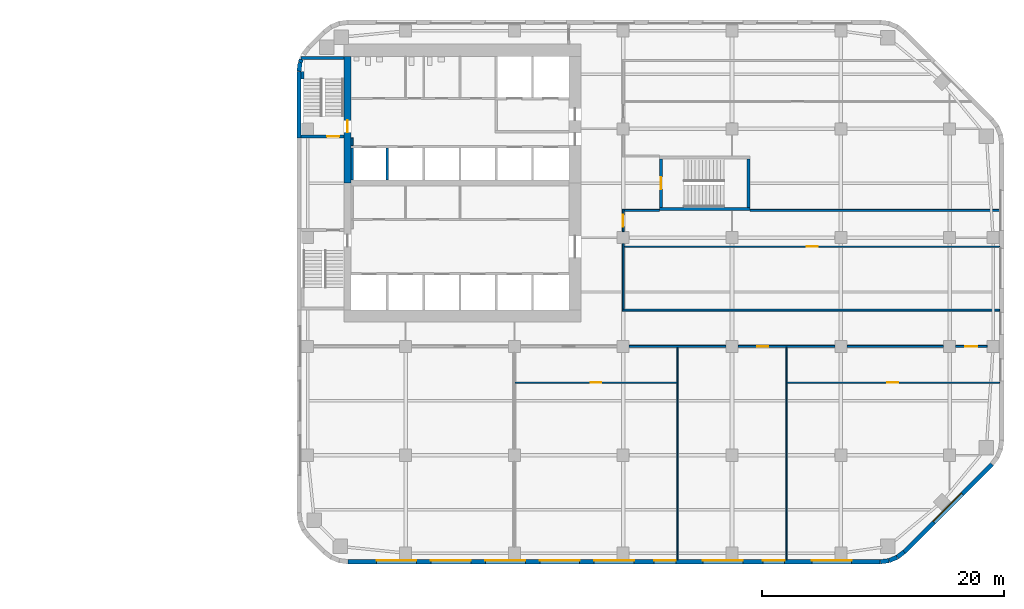
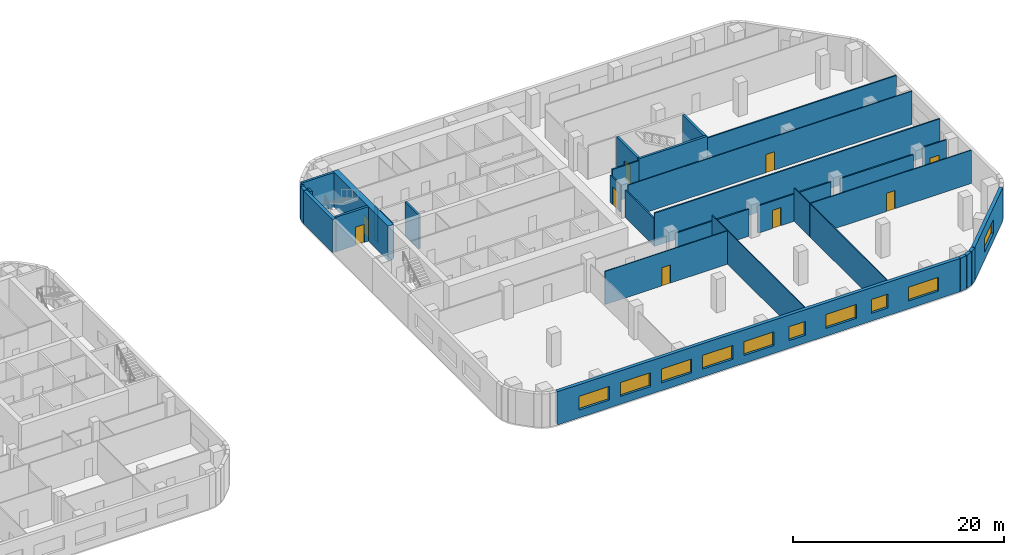
# One storey, part 10 of 16: 33 walls, 10 windows, 9 doors, 19 openings.
"""IFC4 building model written with IfcOpenShell, lengths in metres."""

from ifc_helpers import new_model, si_unit, direction, frame, frame_2d, origin, place, context, subcontext, project, spatial, rectangle, extrude, material, layer, layer_set, type_object, element, fill, save


model = new_model("IFC4")

# Units and contexts
model_context = context("Model", 3, precision=1e-05, world=origin(), true_north=direction((0.0, 1.0)))
body_context = subcontext(model_context, "Body", "Model", "MODEL_VIEW")
ifc_project = project(units=[si_unit("LENGTHUNIT", "METRE"), si_unit("AREAUNIT", "SQUARE_METRE"), si_unit("VOLUMEUNIT", "CUBIC_METRE"), si_unit("PLANEANGLEUNIT", "RADIAN"), si_unit("MASSUNIT", "GRAM", prefix="KILO")], contexts=[model_context])

# Site, building, storey
site_placement = place(None, origin())
site = spatial("IfcSite", under=ifc_project, at=site_placement, CompositionType="ELEMENT")
building_placement = place(site_placement, origin())
building = spatial("IfcBuilding", under=site, at=building_placement, Name="Cinnabar Reach Civic Tower", CompositionType="ELEMENT")
storey_placement = place(building_placement, frame((0.0, 0.0, 38.0)))
storey = spatial("IfcBuildingStorey", under=building, at=storey_placement, Name="L08", CompositionType="ELEMENT", Elevation=38.0)

# Walls
ifc_material_1 = material(Name="Facing brick with insulated backing", Category="masonry")
ifc_layer_1 = layer(ifc_material_1, 0.36)
ifc_layer_set_1 = layer_set([ifc_layer_1], Name="Brick corner wall")
wall_type_1 = type_object("IfcWallType", Name="Brick corner wall", PredefinedType="STANDARD", material=ifc_layer_set_1)
for number, where, z_axis, x_axis, name in (
    (1, (48.2686, 0.183, 0.0), (0.0, 0.0, 1.0), (0.99144092581, 0.13055608231, 0.0), "Brick corner wall"),
    (2, (48.9973, 0.2819, 0.0), (0.0, 0.0, 1.0), (0.923871547278, 0.382702709855, 0.0), "Brick corner wall"),
):
    element("IfcWall", number, at=place(storey_placement, frame(where, z_axis=z_axis, x_axis=x_axis)), inside=storey, type_object=wall_type_1, Name=name, PredefinedType="STANDARD", context=body_context, shape_type="SweptSolid", body=[
        extrude(rectangle(XDim=0.7131, YDim=0.36, at=frame_2d((0.3565, 0.0))), origin(), (0.0, 0.0, 1.0), 3.85),
    ])
wall_1_placement = place(storey_placement, frame((49.6755, 0.566, 0.0), z_axis=(0.0, 0.0, 1.0), x_axis=(0.793321924995, 0.608802368033, 0.0)))
element("IfcWall", 3, at=wall_1_placement, inside=storey, type_object=wall_type_1, Name="Brick corner wall", PredefinedType="STANDARD", context=body_context, shape_type="SweptSolid", body=[
    extrude(rectangle(XDim=0.7132, YDim=0.36, at=frame_2d((0.3566, 0.0))), origin(), (0.0, 0.0, 1.0), 3.85),
])
wall_2_placement = place(storey_placement, frame((0.3808, 41.736, 0.0), z_axis=(0.0, 0.0, 1.0), x_axis=(-0.382773360986, -0.923842277729, 0.0)))
element("IfcWall", 4, at=wall_2_placement, inside=storey, type_object=wall_type_1, Name="Brick corner wall", PredefinedType="STANDARD", context=body_context, shape_type="SweptSolid", body=[
    extrude(rectangle(XDim=0.2584, YDim=0.36, at=frame_2d((0.1292, 0.0))), origin(), (0.0, 0.0, 1.0), 3.85),
])
wall_3_placement = place(storey_placement, frame((0.2761, 41.4756, 0.0), z_axis=(0.0, 0.0, 1.0), x_axis=(-0.13055608231, -0.99144092581, 0.0)))
element("IfcWall", 5, at=wall_3_placement, inside=storey, type_object=wall_type_1, Name="Brick corner wall", PredefinedType="STANDARD", context=body_context, shape_type="SweptSolid", body=[
    extrude(rectangle(XDim=0.7131, YDim=0.36, at=frame_2d((0.3565, 0.0))), origin(), (0.0, 0.0, 1.0), 3.85),
])

# Wall, openings, windows
ifc_layer_2 = layer(ifc_material_1, 0.36)
ifc_layer_set_2 = layer_set([ifc_layer_2], Name="Brick pier and spandrel wall")
wall_type_2 = type_object("IfcWallType", Name="Brick pier and spandrel wall", PredefinedType="STANDARD", material=ifc_layer_set_2)
wall_4_placement = place(storey_placement, frame((4.2426, 0.18, 0.0), z_axis=(0.0, 0.0, 1.0), x_axis=(1.0, 0.0, 0.0)))
wall_4 = element("IfcWall", 6, at=wall_4_placement, inside=storey, type_object=wall_type_2, Name="Brick facade wall", PredefinedType="STANDARD", context=body_context, shape_type="SweptSolid", body=[
    extrude(rectangle(XDim=44.0148, YDim=0.36, at=frame_2d((22.0074, 0.0))), origin(), (0.0, 0.0, 1.0), 3.85),
])
opening_1_placement = place(wall_4_placement, frame((2.3574, 0.0, 0.9)))
opening_1 = element("IfcOpeningElement", 7, at=opening_1_placement, cuts=wall_4, Name="Opening W1078", PredefinedType="OPENING", context=body_context, shape_type="SweptSolid", body=[
    extrude(rectangle(XDim=3.3, YDim=1.6, at=frame_2d((1.65, 0.8))), frame((0.0, 0.19, 0.0), z_axis=(0.0, -1.0, 0.0), x_axis=(1.0, 0.0, 0.0)), (0.0, 0.0, 1.0), 0.38),
])
opening_2_placement = place(wall_4_placement, frame((6.8574, 0.0, 0.9)))
opening_2 = element("IfcOpeningElement", 8, at=opening_2_placement, cuts=wall_4, Name="Opening W1079", PredefinedType="OPENING", context=body_context, shape_type="SweptSolid", body=[
    extrude(rectangle(XDim=3.3, YDim=1.6, at=frame_2d((1.65, 0.8))), frame((0.0, 0.19, 0.0), z_axis=(0.0, -1.0, 0.0), x_axis=(1.0, 0.0, 0.0)), (0.0, 0.0, 1.0), 0.38),
])
opening_3_placement = place(wall_4_placement, frame((11.3574, 0.0, 0.9)))
opening_3 = element("IfcOpeningElement", 9, at=opening_3_placement, cuts=wall_4, Name="Opening W1080", PredefinedType="OPENING", context=body_context, shape_type="SweptSolid", body=[
    extrude(rectangle(XDim=3.3, YDim=1.6, at=frame_2d((1.65, 0.8))), frame((0.0, 0.19, 0.0), z_axis=(0.0, -1.0, 0.0), x_axis=(1.0, 0.0, 0.0)), (0.0, 0.0, 1.0), 0.38),
])
opening_4_placement = place(wall_4_placement, frame((15.8574, 0.0, 0.9)))
opening_4 = element("IfcOpeningElement", 10, at=opening_4_placement, cuts=wall_4, Name="Opening W1081", PredefinedType="OPENING", context=body_context, shape_type="SweptSolid", body=[
    extrude(rectangle(XDim=3.3, YDim=1.6, at=frame_2d((1.65, 0.8))), frame((0.0, 0.19, 0.0), z_axis=(0.0, -1.0, 0.0), x_axis=(1.0, 0.0, 0.0)), (0.0, 0.0, 1.0), 0.38),
])
opening_5_placement = place(wall_4_placement, frame((20.3574, 0.0, 0.9)))
opening_5 = element("IfcOpeningElement", 11, at=opening_5_placement, cuts=wall_4, Name="Opening W1082", PredefinedType="OPENING", context=body_context, shape_type="SweptSolid", body=[
    extrude(rectangle(XDim=3.3, YDim=1.6, at=frame_2d((1.65, 0.8))), frame((0.0, 0.19, 0.0), z_axis=(0.0, -1.0, 0.0), x_axis=(1.0, 0.0, 0.0)), (0.0, 0.0, 1.0), 0.38),
])
opening_6_placement = place(wall_4_placement, frame((25.3074, 0.0, 0.9)))
opening_6 = element("IfcOpeningElement", 12, at=opening_6_placement, cuts=wall_4, Name="Opening W1083", PredefinedType="OPENING", context=body_context, shape_type="SweptSolid", body=[
    extrude(rectangle(XDim=1.8, YDim=1.6, at=frame_2d((0.9, 0.8))), frame((0.0, 0.19, 0.0), z_axis=(0.0, -1.0, 0.0), x_axis=(1.0, 0.0, 0.0)), (0.0, 0.0, 1.0), 0.38),
])
opening_7_placement = place(wall_4_placement, frame((29.3574, 0.0, 0.9)))
opening_7 = element("IfcOpeningElement", 13, at=opening_7_placement, cuts=wall_4, Name="Opening W1084", PredefinedType="OPENING", context=body_context, shape_type="SweptSolid", body=[
    extrude(rectangle(XDim=3.3, YDim=1.6, at=frame_2d((1.65, 0.8))), frame((0.0, 0.19, 0.0), z_axis=(0.0, -1.0, 0.0), x_axis=(1.0, 0.0, 0.0)), (0.0, 0.0, 1.0), 0.38),
])
opening_8_placement = place(wall_4_placement, frame((34.3074, 0.0, 0.9)))
opening_8 = element("IfcOpeningElement", 14, at=opening_8_placement, cuts=wall_4, Name="Opening W1085", PredefinedType="OPENING", context=body_context, shape_type="SweptSolid", body=[
    extrude(rectangle(XDim=1.8, YDim=1.6, at=frame_2d((0.9, 0.8))), frame((0.0, 0.19, 0.0), z_axis=(0.0, -1.0, 0.0), x_axis=(1.0, 0.0, 0.0)), (0.0, 0.0, 1.0), 0.38),
])
opening_9_placement = place(wall_4_placement, frame((38.3574, 0.0, 0.9)))
opening_9 = element("IfcOpeningElement", 15, at=opening_9_placement, cuts=wall_4, Name="Opening W1086", PredefinedType="OPENING", context=body_context, shape_type="SweptSolid", body=[
    extrude(rectangle(XDim=3.3, YDim=1.6, at=frame_2d((1.65, 0.8))), frame((0.0, 0.19, 0.0), z_axis=(0.0, -1.0, 0.0), x_axis=(1.0, 0.0, 0.0)), (0.0, 0.0, 1.0), 0.38),
])
ifc_material_2 = material(Name="Clear double glazing in aluminium frame", Category="aluminium")
window_type_1 = type_object("IfcWindowType", Name="Deep-set window A", PartitioningType="SINGLE_PANEL", PredefinedType="WINDOW", material=ifc_material_2)
window_1_placement = place(opening_1_placement, origin())
window_1 = element("IfcWindow", 16, at=window_1_placement, inside=storey, type_object=window_type_1, Name="Window south face", OverallHeight=1.6, OverallWidth=3.3, PartitioningType="SINGLE_PANEL", PredefinedType="WINDOW", context=body_context, shape_type="SweptSolid", body=[
    extrude(rectangle(XDim=3.3, YDim=1.6, at=frame_2d((1.65, 0.8))), frame((0.0, 0.13, 0.0), z_axis=(0.0, -1.0, 0.0), x_axis=(1.0, 0.0, 0.0)), (0.0, 0.0, 1.0), 0.06),
])
fill(opening_1, window_1)
window_2_placement = place(opening_2_placement, origin())
window_2 = element("IfcWindow", 17, at=window_2_placement, inside=storey, type_object=window_type_1, Name="Window south face", OverallHeight=1.6, OverallWidth=3.3, PartitioningType="SINGLE_PANEL", PredefinedType="WINDOW", context=body_context, shape_type="SweptSolid", body=[
    extrude(rectangle(XDim=3.3, YDim=1.6, at=frame_2d((1.65, 0.8))), frame((0.0, 0.13, 0.0), z_axis=(0.0, -1.0, 0.0), x_axis=(1.0, 0.0, 0.0)), (0.0, 0.0, 1.0), 0.06),
])
fill(opening_2, window_2)
window_3_placement = place(opening_3_placement, origin())
window_3 = element("IfcWindow", 18, at=window_3_placement, inside=storey, type_object=window_type_1, Name="Window south face", OverallHeight=1.6, OverallWidth=3.3, PartitioningType="SINGLE_PANEL", PredefinedType="WINDOW", context=body_context, shape_type="SweptSolid", body=[
    extrude(rectangle(XDim=3.3, YDim=1.6, at=frame_2d((1.65, 0.8))), frame((0.0, 0.13, 0.0), z_axis=(0.0, -1.0, 0.0), x_axis=(1.0, 0.0, 0.0)), (0.0, 0.0, 1.0), 0.06),
])
fill(opening_3, window_3)
window_4_placement = place(opening_4_placement, origin())
window_4 = element("IfcWindow", 19, at=window_4_placement, inside=storey, type_object=window_type_1, Name="Window south face", OverallHeight=1.6, OverallWidth=3.3, PartitioningType="SINGLE_PANEL", PredefinedType="WINDOW", context=body_context, shape_type="SweptSolid", body=[
    extrude(rectangle(XDim=3.3, YDim=1.6, at=frame_2d((1.65, 0.8))), frame((0.0, 0.13, 0.0), z_axis=(0.0, -1.0, 0.0), x_axis=(1.0, 0.0, 0.0)), (0.0, 0.0, 1.0), 0.06),
])
fill(opening_4, window_4)
window_5_placement = place(opening_5_placement, origin())
window_5 = element("IfcWindow", 20, at=window_5_placement, inside=storey, type_object=window_type_1, Name="Window south face", OverallHeight=1.6, OverallWidth=3.3, PartitioningType="SINGLE_PANEL", PredefinedType="WINDOW", context=body_context, shape_type="SweptSolid", body=[
    extrude(rectangle(XDim=3.3, YDim=1.6, at=frame_2d((1.65, 0.8))), frame((0.0, 0.13, 0.0), z_axis=(0.0, -1.0, 0.0), x_axis=(1.0, 0.0, 0.0)), (0.0, 0.0, 1.0), 0.06),
])
fill(opening_5, window_5)
window_6_placement = place(opening_7_placement, origin())
window_6 = element("IfcWindow", 21, at=window_6_placement, inside=storey, type_object=window_type_1, Name="Window south face", OverallHeight=1.6, OverallWidth=3.3, PartitioningType="SINGLE_PANEL", PredefinedType="WINDOW", context=body_context, shape_type="SweptSolid", body=[
    extrude(rectangle(XDim=3.3, YDim=1.6, at=frame_2d((1.65, 0.8))), frame((0.0, 0.13, 0.0), z_axis=(0.0, -1.0, 0.0), x_axis=(1.0, 0.0, 0.0)), (0.0, 0.0, 1.0), 0.06),
])
fill(opening_7, window_6)
window_7_placement = place(opening_9_placement, origin())
window_7 = element("IfcWindow", 22, at=window_7_placement, inside=storey, type_object=window_type_1, Name="Window south face", OverallHeight=1.6, OverallWidth=3.3, PartitioningType="SINGLE_PANEL", PredefinedType="WINDOW", context=body_context, shape_type="SweptSolid", body=[
    extrude(rectangle(XDim=3.3, YDim=1.6, at=frame_2d((1.65, 0.8))), frame((0.0, 0.13, 0.0), z_axis=(0.0, -1.0, 0.0), x_axis=(1.0, 0.0, 0.0)), (0.0, 0.0, 1.0), 0.06),
])
fill(opening_9, window_7)
window_type_2 = type_object("IfcWindowType", Name="Deep-set window D", PartitioningType="SINGLE_PANEL", PredefinedType="WINDOW", material=ifc_material_2)
window_8_placement = place(opening_6_placement, origin())
window_8 = element("IfcWindow", 23, at=window_8_placement, inside=storey, type_object=window_type_2, Name="Window south face", OverallHeight=1.6, OverallWidth=1.8, PartitioningType="SINGLE_PANEL", PredefinedType="WINDOW", context=body_context, shape_type="SweptSolid", body=[
    extrude(rectangle(XDim=1.8, YDim=1.6, at=frame_2d((0.9, 0.8))), frame((0.0, 0.13, 0.0), z_axis=(0.0, -1.0, 0.0), x_axis=(1.0, 0.0, 0.0)), (0.0, 0.0, 1.0), 0.06),
])
fill(opening_6, window_8)
window_9_placement = place(opening_8_placement, origin())
window_9 = element("IfcWindow", 24, at=window_9_placement, inside=storey, type_object=window_type_2, Name="Window south face", OverallHeight=1.6, OverallWidth=1.8, PartitioningType="SINGLE_PANEL", PredefinedType="WINDOW", context=body_context, shape_type="SweptSolid", body=[
    extrude(rectangle(XDim=1.8, YDim=1.6, at=frame_2d((0.9, 0.8))), frame((0.0, 0.13, 0.0), z_axis=(0.0, -1.0, 0.0), x_axis=(1.0, 0.0, 0.0)), (0.0, 0.0, 1.0), 0.06),
])
fill(opening_8, window_9)

# Wall, opening, window
wall_5_placement = place(storey_placement, frame((50.2514, 1.006, 0.0), z_axis=(0.0, 0.0, 1.0), x_axis=(0.707106781187, 0.707106781187, 0.0)))
wall_5 = element("IfcWall", 25, at=wall_5_placement, inside=storey, type_object=wall_type_2, Name="Brick facade wall", PredefinedType="STANDARD", context=body_context, shape_type="SweptSolid", body=[
    extrude(rectangle(XDim=10.2426, YDim=0.36, at=frame_2d((5.1213, 0.0))), origin(), (0.0, 0.0, 1.0), 3.85),
])
opening_10_placement = place(wall_5_placement, frame((3.4713, 0.0, 0.9)))
opening_10 = element("IfcOpeningElement", 26, at=opening_10_placement, cuts=wall_5, Name="Opening W1087", PredefinedType="OPENING", context=body_context, shape_type="SweptSolid", body=[
    extrude(rectangle(XDim=3.3, YDim=1.6, at=frame_2d((1.65, 0.8))), frame((0.0, 0.19, 0.0), z_axis=(0.0, -1.0, 0.0), x_axis=(1.0, 0.0, 0.0)), (0.0, 0.0, 1.0), 0.38),
])
window_10_placement = place(opening_10_placement, origin())
window_10 = element("IfcWindow", 27, at=window_10_placement, inside=storey, type_object=window_type_1, Name="Window southeast face", OverallHeight=1.6, OverallWidth=3.3, PartitioningType="SINGLE_PANEL", PredefinedType="WINDOW", context=body_context, shape_type="SweptSolid", body=[
    extrude(rectangle(XDim=3.3, YDim=1.6, at=frame_2d((1.65, 0.8))), frame((0.0, 0.13, 0.0), z_axis=(0.0, -1.0, 0.0), x_axis=(1.0, 0.0, 0.0)), (0.0, 0.0, 1.0), 0.06),
])
fill(opening_10, window_10)

# Wall
wall_6_placement = place(storey_placement, frame((0.18, 40.7574, 0.0), z_axis=(0.0, 0.0, 1.0), x_axis=(0.0, -1.0, 0.0)))
element("IfcWall", 28, at=wall_6_placement, inside=storey, type_object=wall_type_2, Name="Brick facade wall", PredefinedType="STANDARD", context=body_context, shape_type="SweptSolid", body=[
    extrude(rectangle(XDim=5.5074, YDim=0.36, at=frame_2d((2.7537, 0.0))), origin(), (0.0, 0.0, 1.0), 3.85),
])

# Wall, opening, door
ifc_material_3 = material(Name="Concrete C70", Category="concrete")
ifc_layer_3 = layer(ifc_material_3, 0.6)
ifc_layer_set_3 = layer_set([ifc_layer_3], Name="Core wall 600 EI 180")
wall_type_3 = type_object("IfcWallType", Name="Core wall 600 EI 180", PredefinedType="SOLIDWALL", material=ifc_layer_set_3)
wall_7_placement = place(storey_placement, frame((4.2, 42.0, 0.0), z_axis=(0.0, 0.0, 1.0), x_axis=(0.0, -1.0, 0.0)))
wall_7 = element("IfcWall", 29, at=wall_7_placement, inside=storey, type_object=wall_type_3, Name="Core wall T1 L08 W", PredefinedType="SOLIDWALL", context=body_context, shape_type="SweptSolid", body=[
    extrude(rectangle(XDim=10.5, YDim=0.6, at=frame_2d((5.25, 0.0))), origin(), (0.0, 0.0, 1.0), 4.0),
])
opening_11_placement = place(wall_7_placement, frame((5.3, 0.0, 0.0)))
opening_11 = element("IfcOpeningElement", 30, at=opening_11_placement, cuts=wall_7, Name="Opening D3316", PredefinedType="OPENING", context=body_context, shape_type="SweptSolid", body=[
    extrude(rectangle(XDim=1.0, YDim=2.1, at=frame_2d((0.5, 1.05))), frame((0.0, 0.31, 0.0), z_axis=(0.0, -1.0, 0.0), x_axis=(1.0, 0.0, 0.0)), (0.0, 0.0, 1.0), 0.62),
])
ifc_material_4 = material(Name="Timber door leaf in steel frame", Category="steel")
door_type_1 = type_object("IfcDoorType", Name="Stair door 1000 x 2100 T1", OperationType="SINGLE_SWING_LEFT", PredefinedType="DOOR", material=ifc_material_4)
door_1_placement = place(opening_11_placement, frame((1.0, 0.0, 0.0), z_axis=(0.0, 0.0, 1.0), x_axis=(-1.0, 0.0, 0.0)))
door_1 = element("IfcDoor", 31, at=door_1_placement, inside=storey, type_object=door_type_1, Name="Door D3316", OperationType="SINGLE_SWING_LEFT", OverallHeight=2.1, OverallWidth=1.0, PredefinedType="DOOR", context=body_context, shape_type="SweptSolid", body=[
    extrude(rectangle(XDim=1.0, YDim=2.1, at=frame_2d((0.5, 1.05))), frame((0.0, 0.025, 0.0), z_axis=(0.0, -1.0, 0.0), x_axis=(1.0, 0.0, 0.0)), (0.0, 0.0, 1.0), 0.05),
])
fill(opening_11, door_1)

ifc_material_5 = material(Name="Gypsum board on steel studs, double layer", Category="steel")
ifc_layer_4 = layer(ifc_material_5, 0.15)
ifc_layer_set_4 = layer_set([ifc_layer_4], Name="Corridor wall 150 T1")
wall_type_4 = type_object("IfcWallType", Name="Corridor wall 150 T1", PredefinedType="PARTITIONING", material=ifc_layer_set_4)
wall_8_placement = place(storey_placement, frame((54.5, 18.0, 0.0), z_axis=(0.0, 0.0, 1.0), x_axis=(1.0, 0.0, 0.0)))
wall_8 = element("IfcWall", 32, at=wall_8_placement, inside=storey, type_object=wall_type_4, Name="Corridor wall 19", PredefinedType="PARTITIONING", context=body_context, shape_type="SweptSolid", body=[
    extrude(rectangle(XDim=2.6, YDim=0.15, at=frame_2d((1.3, 0.0))), origin(), (0.0, 0.0, 1.0), 3.602),
])
opening_12_placement = place(wall_8_placement, frame((0.8, 0.0, 0.0)))
opening_12 = element("IfcOpeningElement", 33, at=opening_12_placement, cuts=wall_8, Name="Opening D3349", PredefinedType="OPENING", context=body_context, shape_type="SweptSolid", body=[
    extrude(rectangle(XDim=1.0, YDim=2.1, at=frame_2d((0.5, 1.05))), frame((0.0, 0.085, 0.0), z_axis=(0.0, -1.0, 0.0), x_axis=(1.0, 0.0, 0.0)), (0.0, 0.0, 1.0), 0.17),
])
door_type_2 = type_object("IfcDoorType", Name="Tenancy entrance door 1000 x 2100 T1", OperationType="SINGLE_SWING_LEFT", PredefinedType="DOOR", material=ifc_material_4)
door_2_placement = place(opening_12_placement, frame((1.0, 0.0, 0.0), z_axis=(0.0, 0.0, 1.0), x_axis=(-1.0, 0.0, 0.0)))
door_2 = element("IfcDoor", 34, at=door_2_placement, inside=storey, type_object=door_type_2, Name="Door D3349", OperationType="SINGLE_SWING_LEFT", OverallHeight=2.1, OverallWidth=1.0, PredefinedType="DOOR", context=body_context, shape_type="SweptSolid", body=[
    extrude(rectangle(XDim=1.0, YDim=2.1, at=frame_2d((0.5, 1.05))), frame((0.0, 0.025, 0.0), z_axis=(0.0, -1.0, 0.0), x_axis=(1.0, 0.0, 0.0)), (0.0, 0.0, 1.0), 0.05),
])
fill(opening_12, door_2)

# Wall
wall_9_placement = place(storey_placement, frame((45.5, 18.0, 0.0), z_axis=(0.0, 0.0, 1.0), x_axis=(1.0, 0.0, 0.0)))
element("IfcWall", 35, at=wall_9_placement, inside=storey, type_object=wall_type_4, Name="Corridor wall 20", PredefinedType="PARTITIONING", context=body_context, shape_type="SweptSolid", body=[
    extrude(rectangle(XDim=8.0, YDim=0.15, at=frame_2d((4.0, 0.0))), origin(), (0.0, 0.0, 1.0), 3.15),
])

# Wall, opening, door
wall_10_placement = place(storey_placement, frame((36.5, 18.0, 0.0), z_axis=(0.0, 0.0, 1.0), x_axis=(1.0, 0.0, 0.0)))
wall_10 = element("IfcWall", 36, at=wall_10_placement, inside=storey, type_object=wall_type_4, Name="Corridor wall 21", PredefinedType="PARTITIONING", context=body_context, shape_type="SweptSolid", body=[
    extrude(rectangle(XDim=8.0, YDim=0.15, at=frame_2d((4.0, 0.0))), origin(), (0.0, 0.0, 1.0), 3.15),
])
opening_13_placement = place(wall_10_placement, frame((1.6, 0.0, 0.0)))
opening_13 = element("IfcOpeningElement", 37, at=opening_13_placement, cuts=wall_10, Name="Opening D3348", PredefinedType="OPENING", context=body_context, shape_type="SweptSolid", body=[
    extrude(rectangle(XDim=0.9, YDim=2.1, at=frame_2d((0.45, 1.05))), frame((0.0, 0.085, 0.0), z_axis=(0.0, -1.0, 0.0), x_axis=(1.0, 0.0, 0.0)), (0.0, 0.0, 1.0), 0.17),
])
door_type_3 = type_object("IfcDoorType", Name="Single swing door 900 x 2100 corridor T1", OperationType="SINGLE_SWING_LEFT", PredefinedType="DOOR", material=ifc_material_4)
door_3_placement = place(opening_13_placement, frame((0.9, 0.0, 0.0), z_axis=(0.0, 0.0, 1.0), x_axis=(-1.0, 0.0, 0.0)))
door_3 = element("IfcDoor", 38, at=door_3_placement, inside=storey, type_object=door_type_3, Name="Door D3348", OperationType="SINGLE_SWING_RIGHT", OverallHeight=2.1, OverallWidth=0.9, PredefinedType="DOOR", context=body_context, shape_type="SweptSolid", body=[
    extrude(rectangle(XDim=0.9, YDim=2.1, at=frame_2d((0.45, 1.05))), frame((0.0, 0.025, 0.0), z_axis=(0.0, -1.0, 0.0), x_axis=(1.0, 0.0, 0.0)), (0.0, 0.0, 1.0), 0.05),
])
fill(opening_13, door_3)

# Walls
wall_11_placement = place(storey_placement, frame((27.5, 18.0, 0.0), z_axis=(0.0, 0.0, 1.0), x_axis=(1.0, 0.0, 0.0)))
element("IfcWall", 39, at=wall_11_placement, inside=storey, type_object=wall_type_4, Name="Corridor wall 22", PredefinedType="PARTITIONING", context=body_context, shape_type="SweptSolid", body=[
    extrude(rectangle(XDim=8.0, YDim=0.15, at=frame_2d((4.0, 0.0))), origin(), (0.0, 0.0, 1.0), 3.15),
])
wall_12_placement = place(storey_placement, frame((26.925, 21.0, 0.0), z_axis=(0.0, 0.0, 1.0), x_axis=(1.0, 0.0, 0.0)))
element("IfcWall", 40, at=wall_12_placement, inside=storey, type_object=wall_type_4, Name="Corridor wall 26", PredefinedType="PARTITIONING", context=body_context, shape_type="SweptSolid", body=[
    extrude(rectangle(XDim=31.215, YDim=0.15, at=frame_2d((15.6075, 0.0))), origin(), (0.0, 0.0, 1.0), 3.85),
])
wall_13_placement = place(storey_placement, frame((27.0, 21.075, 0.0), z_axis=(0.0, 0.0, 1.0), x_axis=(0.0, 1.0, 0.0)))
element("IfcWall", 41, at=wall_13_placement, inside=storey, type_object=wall_type_4, Name="Corridor wall 30", PredefinedType="PARTITIONING", context=body_context, shape_type="SweptSolid", body=[
    extrude(rectangle(XDim=5.425, YDim=0.15, at=frame_2d((2.7125, 0.0))), origin(), (0.0, 0.0, 1.0), 3.158),
])

# Wall, opening, door
wall_14_placement = place(storey_placement, frame((27.0, 27.5, 0.0), z_axis=(0.0, 0.0, 1.0), x_axis=(0.0, 1.0, 0.0)))
wall_14 = element("IfcWall", 42, at=wall_14_placement, inside=storey, type_object=wall_type_4, Name="Corridor wall 31", PredefinedType="PARTITIONING", context=body_context, shape_type="SweptSolid", body=[
    extrude(rectangle(XDim=1.825, YDim=0.15, at=frame_2d((0.9125, 0.0))), origin(), (0.0, 0.0, 1.0), 3.158),
])
opening_14_placement = place(wall_14_placement, frame((0.4, 0.0, 0.0)))
opening_14 = element("IfcOpeningElement", 43, at=opening_14_placement, cuts=wall_14, Name="Opening D3343", PredefinedType="OPENING", context=body_context, shape_type="SweptSolid", body=[
    extrude(rectangle(XDim=1.0, YDim=2.1, at=frame_2d((0.5, 1.05))), frame((0.0, 0.085, 0.0), z_axis=(0.0, -1.0, 0.0), x_axis=(1.0, 0.0, 0.0)), (0.0, 0.0, 1.0), 0.17),
])
door_4_placement = place(opening_14_placement, frame((1.0, 0.0, 0.0), z_axis=(0.0, 0.0, 1.0), x_axis=(-1.0, 0.0, 0.0)))
door_4 = element("IfcDoor", 44, at=door_4_placement, inside=storey, type_object=door_type_2, Name="Door D3343", OperationType="SINGLE_SWING_LEFT", OverallHeight=2.1, OverallWidth=1.0, PredefinedType="DOOR", context=body_context, shape_type="SweptSolid", body=[
    extrude(rectangle(XDim=1.0, YDim=2.1, at=frame_2d((0.5, 1.05))), frame((0.0, 0.025, 0.0), z_axis=(0.0, -1.0, 0.0), x_axis=(1.0, 0.0, 0.0)), (0.0, 0.0, 1.0), 0.05),
])
fill(opening_14, door_4)

# Walls
wall_15_placement = place(storey_placement, frame((27.075, 29.25, 0.0), z_axis=(0.0, 0.0, 1.0), x_axis=(1.0, 0.0, 0.0)))
element("IfcWall", 45, at=wall_15_placement, inside=storey, type_object=wall_type_4, Name="Corridor wall 36", PredefinedType="PARTITIONING", context=body_context, shape_type="SweptSolid", body=[
    extrude(rectangle(XDim=2.925, YDim=0.15, at=frame_2d((1.4625, 0.0))), origin(), (0.0, 0.0, 1.0), 3.85),
])
wall_16_placement = place(storey_placement, frame((4.575, 34.6, 0.0), z_axis=(0.0, 0.0, 1.0), x_axis=(0.0, 1.0, 0.0)))
element("IfcWall", 46, at=wall_16_placement, inside=storey, type_object=wall_type_4, Name="Corridor wall 39", PredefinedType="PARTITIONING", context=body_context, shape_type="SweptSolid", body=[
    extrude(rectangle(XDim=0.65, YDim=0.15, at=frame_2d((0.325, 0.0))), origin(), (0.0, 0.0, 1.0), 3.85),
])
ifc_material_6 = material(Name="Blockwork", Category="masonry")
ifc_layer_5 = layer(ifc_material_6, 0.2)
ifc_layer_set_5 = layer_set([ifc_layer_5], Name="Lift shaft wall 200 T1")
wall_type_5 = type_object("IfcWallType", Name="Lift shaft wall 200 T1", PredefinedType="PARTITIONING", material=ifc_layer_set_5)
for number, where, z_axis, x_axis, name in (
    (47, (4.6, 31.75, 0.0), (0.0, 0.0, 1.0), (0.0, 1.0, 0.0), "Lift shaft wall 8"),
    (48, (7.5, 31.75, 0.0), (0.0, 0.0, 1.0), (0.0, 1.0, 0.0), "Lift shaft wall 10"),
):
    element("IfcWall", number, at=place(storey_placement, frame(where, z_axis=z_axis, x_axis=x_axis)), inside=storey, type_object=wall_type_5, Name=name, PredefinedType="PARTITIONING", context=body_context, shape_type="SweptSolid", body=[
        extrude(rectangle(XDim=2.65, YDim=0.2, at=frame_2d((1.325, 0.0))), origin(), (0.0, 0.0, 1.0), 3.85),
    ])

# Wall, opening, door
ifc_material_7 = material(Name="Gypsum board on steel studs", Category="steel")
ifc_layer_6 = layer(ifc_material_7, 0.1)
ifc_layer_set_6 = layer_set([ifc_layer_6], Name="Partition wall 100 T1")
wall_type_6 = type_object("IfcWallType", Name="Partition wall 100 T1", PredefinedType="PARTITIONING", material=ifc_layer_set_6)
wall_17_placement = place(storey_placement, frame((27.075, 26.25, 0.0), z_axis=(0.0, 0.0, 1.0), x_axis=(1.0, 0.0, 0.0)))
wall_17 = element("IfcWall", 49, at=wall_17_placement, inside=storey, type_object=wall_type_6, Name="Partition wall 42", PredefinedType="PARTITIONING", context=body_context, shape_type="SweptSolid", body=[
    extrude(rectangle(XDim=31.065, YDim=0.1, at=frame_2d((15.5325, 0.0))), origin(), (0.0, 0.0, 1.0), 3.85),
])
opening_15_placement = place(wall_17_placement, frame((15.1, 0.0, 0.0)))
opening_15 = element("IfcOpeningElement", 50, at=opening_15_placement, cuts=wall_17, Name="Opening D3344", PredefinedType="OPENING", context=body_context, shape_type="SweptSolid", body=[
    extrude(rectangle(XDim=0.9, YDim=2.1, at=frame_2d((0.45, 1.05))), frame((0.0, 0.06, 0.0), z_axis=(0.0, -1.0, 0.0), x_axis=(1.0, 0.0, 0.0)), (0.0, 0.0, 1.0), 0.12),
])
door_type_4 = type_object("IfcDoorType", Name="Single swing door 900 x 2100 T1", OperationType="SINGLE_SWING_LEFT", PredefinedType="DOOR", material=ifc_material_4)
door_5_placement = place(opening_15_placement, origin())
door_5 = element("IfcDoor", 51, at=door_5_placement, inside=storey, type_object=door_type_4, Name="Door D3344", OperationType="SINGLE_SWING_LEFT", OverallHeight=2.1, OverallWidth=0.9, PredefinedType="DOOR", context=body_context, shape_type="SweptSolid", body=[
    extrude(rectangle(XDim=0.9, YDim=2.1, at=frame_2d((0.45, 1.05))), frame((0.0, 0.025, 0.0), z_axis=(0.0, -1.0, 0.0), x_axis=(1.0, 0.0, 0.0)), (0.0, 0.0, 1.0), 0.05),
])
fill(opening_15, door_5)

wall_18_placement = place(storey_placement, frame((40.45, 15.0, 0.0), z_axis=(0.0, 0.0, 1.0), x_axis=(1.0, 0.0, 0.0)))
wall_18 = element("IfcWall", 52, at=wall_18_placement, inside=storey, type_object=wall_type_6, Name="Partition wall 44", PredefinedType="PARTITIONING", context=body_context, shape_type="SweptSolid", body=[
    extrude(rectangle(XDim=17.69, YDim=0.1, at=frame_2d((8.845, 0.0))), origin(), (0.0, 0.0, 1.0), 3.85),
])
opening_16_placement = place(wall_18_placement, frame((8.4, 0.0, 0.0)))
opening_16 = element("IfcOpeningElement", 53, at=opening_16_placement, cuts=wall_18, Name="Opening D3350", PredefinedType="OPENING", context=body_context, shape_type="SweptSolid", body=[
    extrude(rectangle(XDim=0.9, YDim=2.1, at=frame_2d((0.45, 1.05))), frame((0.0, 0.06, 0.0), z_axis=(0.0, -1.0, 0.0), x_axis=(1.0, 0.0, 0.0)), (0.0, 0.0, 1.0), 0.12),
])
door_6_placement = place(opening_16_placement, origin())
door_6 = element("IfcDoor", 54, at=door_6_placement, inside=storey, type_object=door_type_4, Name="Door D3350", OperationType="SINGLE_SWING_RIGHT", OverallHeight=2.1, OverallWidth=0.9, PredefinedType="DOOR", context=body_context, shape_type="SweptSolid", body=[
    extrude(rectangle(XDim=0.9, YDim=2.1, at=frame_2d((0.45, 1.05))), frame((0.0, 0.025, 0.0), z_axis=(0.0, -1.0, 0.0), x_axis=(1.0, 0.0, 0.0)), (0.0, 0.0, 1.0), 0.05),
])
fill(opening_16, door_6)

# Walls
wall_19_placement = place(storey_placement, frame((31.5, 0.36, 0.0), z_axis=(0.0, 0.0, 1.0), x_axis=(0.0, 1.0, 0.0)))
element("IfcWall", 55, at=wall_19_placement, inside=storey, type_object=wall_type_6, Name="Partition wall 47", PredefinedType="PARTITIONING", context=body_context, shape_type="SweptSolid", body=[
    extrude(rectangle(XDim=17.565, YDim=0.1, at=frame_2d((8.7825, 0.0))), origin(), (0.0, 0.0, 1.0), 3.85),
])
wall_20_placement = place(storey_placement, frame((40.5, 15.05, 0.0), z_axis=(0.0, 0.0, 1.0), x_axis=(0.0, 1.0, 0.0)))
element("IfcWall", 56, at=wall_20_placement, inside=storey, type_object=wall_type_6, Name="Partition wall 48", PredefinedType="PARTITIONING", context=body_context, shape_type="SweptSolid", body=[
    extrude(rectangle(XDim=2.875, YDim=0.1, at=frame_2d((1.4375, 0.0))), origin(), (0.0, 0.0, 1.0), 3.85),
])
wall_21_placement = place(storey_placement, frame((40.5, 0.36, 0.0), z_axis=(0.0, 0.0, 1.0), x_axis=(0.0, 1.0, 0.0)))
element("IfcWall", 57, at=wall_21_placement, inside=storey, type_object=wall_type_6, Name="Partition wall 49", PredefinedType="PARTITIONING", context=body_context, shape_type="SweptSolid", body=[
    extrude(rectangle(XDim=14.59, YDim=0.1, at=frame_2d((7.295, 0.0))), origin(), (0.0, 0.0, 1.0), 3.85),
])

# Wall, opening, door
wall_22_placement = place(storey_placement, frame((18.05, 15.0, 0.0), z_axis=(0.0, 0.0, 1.0), x_axis=(1.0, 0.0, 0.0)))
wall_22 = element("IfcWall", 58, at=wall_22_placement, inside=storey, type_object=wall_type_6, Name="Partition wall 50", PredefinedType="PARTITIONING", context=body_context, shape_type="SweptSolid", body=[
    extrude(rectangle(XDim=13.4, YDim=0.1, at=frame_2d((6.7, 0.0))), origin(), (0.0, 0.0, 1.0), 3.85),
])
opening_17_placement = place(wall_22_placement, frame((6.25, 0.0, 0.0)))
opening_17 = element("IfcOpeningElement", 59, at=opening_17_placement, cuts=wall_22, Name="Opening D3347", PredefinedType="OPENING", context=body_context, shape_type="SweptSolid", body=[
    extrude(rectangle(XDim=0.9, YDim=2.1, at=frame_2d((0.45, 1.05))), frame((0.0, 0.06, 0.0), z_axis=(0.0, -1.0, 0.0), x_axis=(1.0, 0.0, 0.0)), (0.0, 0.0, 1.0), 0.12),
])
door_7_placement = place(opening_17_placement, origin())
door_7 = element("IfcDoor", 60, at=door_7_placement, inside=storey, type_object=door_type_4, Name="Door D3347", OperationType="SINGLE_SWING_LEFT", OverallHeight=2.1, OverallWidth=0.9, PredefinedType="DOOR", context=body_context, shape_type="SweptSolid", body=[
    extrude(rectangle(XDim=0.9, YDim=2.1, at=frame_2d((0.45, 1.05))), frame((0.0, 0.025, 0.0), z_axis=(0.0, -1.0, 0.0), x_axis=(1.0, 0.0, 0.0)), (0.0, 0.0, 1.0), 0.05),
])
fill(opening_17, door_7)

ifc_material_8 = material(Name="Concrete C60", Category="concrete")
ifc_layer_7 = layer(ifc_material_8, 0.25)
ifc_layer_set_7 = layer_set([ifc_layer_7], Name="Stair shaft wall 250 EI 120")
wall_type_7 = type_object("IfcWallType", Name="Stair shaft wall 250 EI 120", PredefinedType="SOLIDWALL", material=ifc_layer_set_7)
wall_23_placement = place(storey_placement, frame((0.36, 35.375, 0.0), z_axis=(0.0, 0.0, 1.0), x_axis=(1.0, 0.0, 0.0)))
wall_23 = element("IfcWall", 61, at=wall_23_placement, inside=storey, type_object=wall_type_7, Name="Stair shaft wall T1-S2 L08", PredefinedType="SOLIDWALL", context=body_context, shape_type="SweptSolid", body=[
    extrude(rectangle(XDim=3.54, YDim=0.25, at=frame_2d((1.77, 0.0))), origin(), (0.0, 0.0, 1.0), 4.0),
])
opening_18_placement = place(wall_23_placement, frame((2.14, 0.0, 0.0)))
opening_18 = element("IfcOpeningElement", 62, at=opening_18_placement, cuts=wall_23, Name="Opening D3317", PredefinedType="OPENING", context=body_context, shape_type="SweptSolid", body=[
    extrude(rectangle(XDim=1.0, YDim=2.1, at=frame_2d((0.5, 1.05))), frame((0.0, 0.135, 0.0), z_axis=(0.0, -1.0, 0.0), x_axis=(1.0, 0.0, 0.0)), (0.0, 0.0, 1.0), 0.27),
])
door_8_placement = place(opening_18_placement, origin())
door_8 = element("IfcDoor", 63, at=door_8_placement, inside=storey, type_object=door_type_1, Name="Door D3317", OperationType="SINGLE_SWING_RIGHT", OverallHeight=2.1, OverallWidth=1.0, PredefinedType="DOOR", context=body_context, shape_type="SweptSolid", body=[
    extrude(rectangle(XDim=1.0, YDim=2.1, at=frame_2d((0.5, 1.05))), frame((0.0, 0.025, 0.0), z_axis=(0.0, -1.0, 0.0), x_axis=(1.0, 0.0, 0.0)), (0.0, 0.0, 1.0), 0.05),
])
fill(opening_18, door_8)

# Walls
wall_24_placement = place(storey_placement, frame((3.9, 41.875, 0.0), z_axis=(0.0, 0.0, 1.0), x_axis=(-1.0, 0.0, 0.0)))
element("IfcWall", 64, at=wall_24_placement, inside=storey, type_object=wall_type_7, Name="Stair shaft wall T1-S2 L08", PredefinedType="SOLIDWALL", context=body_context, shape_type="SweptSolid", body=[
    extrude(rectangle(XDim=3.54, YDim=0.25, at=frame_2d((1.77, 0.0))), origin(), (0.0, 0.0, 1.0), 4.0),
])
wall_25_placement = place(storey_placement, frame((30.0, 29.375, 0.0), z_axis=(0.0, 0.0, 1.0), x_axis=(1.0, 0.0, 0.0)))
element("IfcWall", 65, at=wall_25_placement, inside=storey, type_object=wall_type_7, Name="Stair shaft wall T1-S3 L08", PredefinedType="SOLIDWALL", context=body_context, shape_type="SweptSolid", body=[
    extrude(rectangle(XDim=7.5, YDim=0.25, at=frame_2d((3.75, 0.0))), origin(), (0.0, 0.0, 1.0), 4.0),
])
wall_26_placement = place(storey_placement, frame((37.375, 29.5, 0.0), z_axis=(0.0, 0.0, 1.0), x_axis=(0.0, 1.0, 0.0)))
element("IfcWall", 66, at=wall_26_placement, inside=storey, type_object=wall_type_7, Name="Stair shaft wall T1-S3 L08", PredefinedType="SOLIDWALL", context=body_context, shape_type="SweptSolid", body=[
    extrude(rectangle(XDim=4.0, YDim=0.25, at=frame_2d((2.0, 0.0))), origin(), (0.0, 0.0, 1.0), 4.0),
])

# Wall, opening, door
wall_27_placement = place(storey_placement, frame((30.125, 33.5, 0.0), z_axis=(0.0, 0.0, 1.0), x_axis=(0.0, -1.0, 0.0)))
wall_27 = element("IfcWall", 67, at=wall_27_placement, inside=storey, type_object=wall_type_7, Name="Stair shaft wall T1-S3 L08", PredefinedType="SOLIDWALL", context=body_context, shape_type="SweptSolid", body=[
    extrude(rectangle(XDim=4.0, YDim=0.25, at=frame_2d((2.0, 0.0))), origin(), (0.0, 0.0, 1.0), 4.0),
])
opening_19_placement = place(wall_27_placement, frame((1.5, 0.0, 0.0)))
opening_19 = element("IfcOpeningElement", 68, at=opening_19_placement, cuts=wall_27, Name="Opening D3333", PredefinedType="OPENING", context=body_context, shape_type="SweptSolid", body=[
    extrude(rectangle(XDim=1.0, YDim=2.1, at=frame_2d((0.5, 1.05))), frame((0.0, 0.135, 0.0), z_axis=(0.0, -1.0, 0.0), x_axis=(1.0, 0.0, 0.0)), (0.0, 0.0, 1.0), 0.27),
])
door_9_placement = place(opening_19_placement, origin())
door_9 = element("IfcDoor", 69, at=door_9_placement, inside=storey, type_object=door_type_1, Name="Door D3333", OperationType="SINGLE_SWING_LEFT", OverallHeight=2.1, OverallWidth=1.0, PredefinedType="DOOR", context=body_context, shape_type="SweptSolid", body=[
    extrude(rectangle(XDim=1.0, YDim=2.1, at=frame_2d((0.5, 1.05))), frame((0.0, 0.025, 0.0), z_axis=(0.0, -1.0, 0.0), x_axis=(1.0, 0.0, 0.0)), (0.0, 0.0, 1.0), 0.05),
])
fill(opening_19, door_9)

# Walls
ifc_material_9 = material(Name="Concrete C40/50", Category="concrete")
ifc_layer_8 = layer(ifc_material_9, 0.24)
ifc_layer_set_8 = layer_set([ifc_layer_8], Name="T1 landing bearer wall 240")
wall_type_8 = type_object("IfcWallType", Name="T1 landing bearer wall 240", PredefinedType="STANDARD", material=ifc_layer_set_8)
wall_28_placement = place(storey_placement, frame((0.48, 40.13, 0.0), z_axis=(0.0, 0.0, 1.0), x_axis=(0.0, 1.0, 0.0)))
element("IfcWall", 70, at=wall_28_placement, inside=storey, type_object=wall_type_8, Name="T1-S2 landing bearer wall", PredefinedType="STANDARD", context=body_context, shape_type="SweptSolid", body=[
    extrude(rectangle(XDim=0.6151, YDim=0.24, at=frame_2d((0.3075, 0.0))), origin(), (0.0, 0.0, 1.0), 4.0),
])
ifc_layer_9 = layer(ifc_material_5, 0.15)
ifc_layer_set_9 = layer_set([ifc_layer_9], Name="Tenancy separating wall 150 T1")
wall_type_9 = type_object("IfcWallType", Name="Tenancy separating wall 150 T1", PredefinedType="PARTITIONING", material=ifc_layer_set_9)
wall_29_placement = place(storey_placement, frame((37.5, 29.25, 0.0), z_axis=(0.0, 0.0, 1.0), x_axis=(1.0, 0.0, 0.0)))
element("IfcWall", 71, at=wall_29_placement, inside=storey, type_object=wall_type_9, Name="Tenancy separating wall 41", PredefinedType="PARTITIONING", context=body_context, shape_type="SweptSolid", body=[
    extrude(rectangle(XDim=20.64, YDim=0.15, at=frame_2d((10.32, 0.0))), origin(), (0.0, 0.0, 1.0), 3.85),
])

save(model, "model.ifc")
